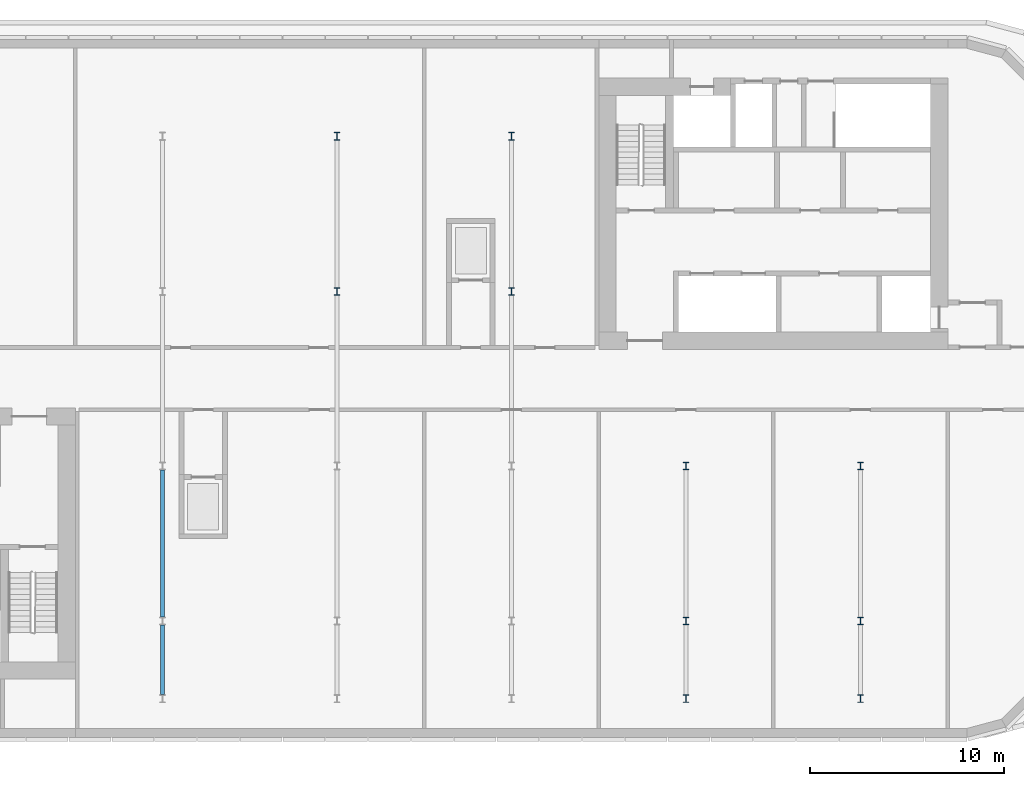
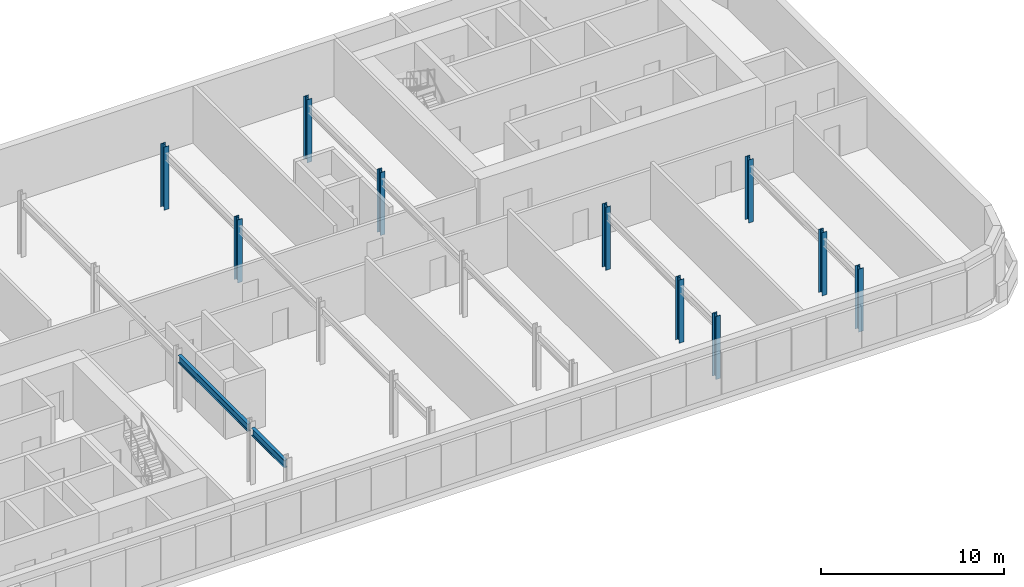
# One storey, part 2 of 10: 10 columns, 2 beams.
"""IFC4 building model written with IfcOpenShell, lengths in metres."""

from ifc_helpers import new_model, si_unit, direction, frame, origin, origin_2d, place, context, subcontext, project, spatial, i_section, extrude, material, material_profile, profile_set, type_object, element, save


model = new_model("IFC4")

# Units and contexts
model_context = context("Model", 3, precision=1e-05, world=origin(), true_north=direction((0.0, 1.0)))
body_context = subcontext(model_context, "Body", "Model", "MODEL_VIEW")
ifc_project = project(units=[si_unit("LENGTHUNIT", "METRE"), si_unit("AREAUNIT", "SQUARE_METRE"), si_unit("VOLUMEUNIT", "CUBIC_METRE"), si_unit("PLANEANGLEUNIT", "RADIAN"), si_unit("MASSUNIT", "GRAM", prefix="KILO")], contexts=[model_context])

# Site, building, storey
site_placement = place(None, origin())
site = spatial("IfcSite", under=ifc_project, at=site_placement, CompositionType="ELEMENT")
building_placement = place(site_placement, origin())
building = spatial("IfcBuilding", under=site, at=building_placement, Name="Kajstack Hotel Tower", CompositionType="ELEMENT")
storey_placement = place(building_placement, frame((0.0, 0.0, 313.60009765625)))
storey = spatial("IfcBuildingStorey", under=building, at=storey_placement, Name="L79", CompositionType="ELEMENT", Elevation=313.60009765625)

# Columns
ifc_material = material(Name="Steel S355J2", Category="steel")
ifc_material_profile_1 = material_profile(ifc_material, i_section(OverallWidth=0.300048828125, OverallDepth=0.39990234375, WebThickness=0.013427734375, FlangeThickness=0.02392578125, FilletRadius=0.027099609375, at=origin_2d()), Name="HEB 400")
ifc_profile_set_1 = profile_set([ifc_material_profile_1], Name="Steel S355J2")
column_type = type_object("IfcColumnType", Name="CC1 HEB 400", PredefinedType="COLUMN", material=ifc_profile_set_1)
for number, where, z_axis, x_axis, name in (
    (1, (0.0, 4.5, 0.0), (0.0, 0.0, 1.0), (1.0, 0.0, 0.0), "S-col-c-L79-+0p0+4p5"),
    (2, (0.0, 12.5, 0.0), (0.0, 0.0, 1.0), (1.0, 0.0, 0.0), "S-col-c-L79-+0p0+12p5"),
    (3, (9.0, 4.5, 0.0), (0.0, 0.0, 1.0), (1.0, 0.0, 0.0), "S-col-c-L79-+9p0+4p5"),
    (4, (9.0, 12.5, 0.0), (0.0, 0.0, 1.0), (1.0, 0.0, 0.0), "S-col-c-L79-+9p0+12p5"),
    (5, (18.0, -16.5, 0.0), (0.0, 0.0, 1.0), (1.0, 0.0, 0.0), "S-col-c-L79-+18p0-16p5"),
    (6, (18.0, -12.5, 0.0), (0.0, 0.0, 1.0), (1.0, 0.0, 0.0), "S-col-c-L79-+18p0-12p5"),
    (7, (18.0, -4.5, 0.0), (0.0, 0.0, 1.0), (1.0, 0.0, 0.0), "S-col-c-L79-+18p0-4p5"),
    (8, (27.0, -16.5, 0.0), (0.0, 0.0, 1.0), (1.0, 0.0, 0.0), "S-col-c-L79-+27p0-16p5"),
    (9, (27.0, -12.5, 0.0), (0.0, 0.0, 1.0), (1.0, 0.0, 0.0), "S-col-c-L79-+27p0-12p5"),
    (10, (27.0, -4.5, 0.0), (0.0, 0.0, 1.0), (1.0, 0.0, 0.0), "S-col-c-L79-+27p0-4p5"),
):
    element("IfcColumn", number, at=place(storey_placement, frame(where, z_axis=z_axis, x_axis=x_axis)), inside=storey, type_object=column_type, Name=name, PredefinedType="COLUMN", context=body_context, shape_type="SweptSolid", body=[
        extrude(i_section(OverallWidth=0.300048828125, OverallDepth=0.39990234375, WebThickness=0.013427734375, FlangeThickness=0.02392578125, FilletRadius=0.027099609375, at=origin_2d()), origin(), (0.0, 0.0, 1.0), 4.199951171875),
    ])

# Beams
ifc_material_profile_2 = material_profile(ifc_material, i_section(OverallWidth=0.199951171875, OverallDepth=0.5, WebThickness=0.01025390625, FlangeThickness=0.01611328125, FilletRadius=0.02099609375, at=origin_2d()), Name="IPE 500")
ifc_profile_set_2 = profile_set([ifc_material_profile_2], Name="Steel S355J2")
beam_type = type_object("IfcBeamType", Name="CF1 IPE 500", PredefinedType="BEAM", material=ifc_profile_set_2)
beam_1_placement = place(storey_placement, frame((-9.0, -16.300048828125, 3.5498046875), z_axis=(0.0, 1.0, 0.0), x_axis=(-1.0, 0.0, 0.0)))
element("IfcBeam", 11, at=beam_1_placement, inside=storey, type_object=beam_type, Name="S-beam-c-L79--9p0-1", PredefinedType="BEAM", context=body_context, shape_type="SweptSolid", body=[
    extrude(i_section(OverallWidth=0.199951171875, OverallDepth=0.5, WebThickness=0.01025390625, FlangeThickness=0.01611328125, FilletRadius=0.02099609375, at=origin_2d()), origin(), (0.0, 0.0, 1.0), 3.60009765625),
])
beam_2_placement = place(storey_placement, frame((-9.0, -12.300048828125, 3.5498046875), z_axis=(0.0, 1.0, 0.0), x_axis=(-1.0, 0.0, 0.0)))
element("IfcBeam", 12, at=beam_2_placement, inside=storey, type_object=beam_type, Name="S-beam-c-L79--9p0-2", PredefinedType="BEAM", context=body_context, shape_type="SweptSolid", body=[
    extrude(i_section(OverallWidth=0.199951171875, OverallDepth=0.5, WebThickness=0.01025390625, FlangeThickness=0.01611328125, FilletRadius=0.02099609375, at=origin_2d()), origin(), (0.0, 0.0, 1.0), 7.60009765625),
])

save(model, "model.ifc")
